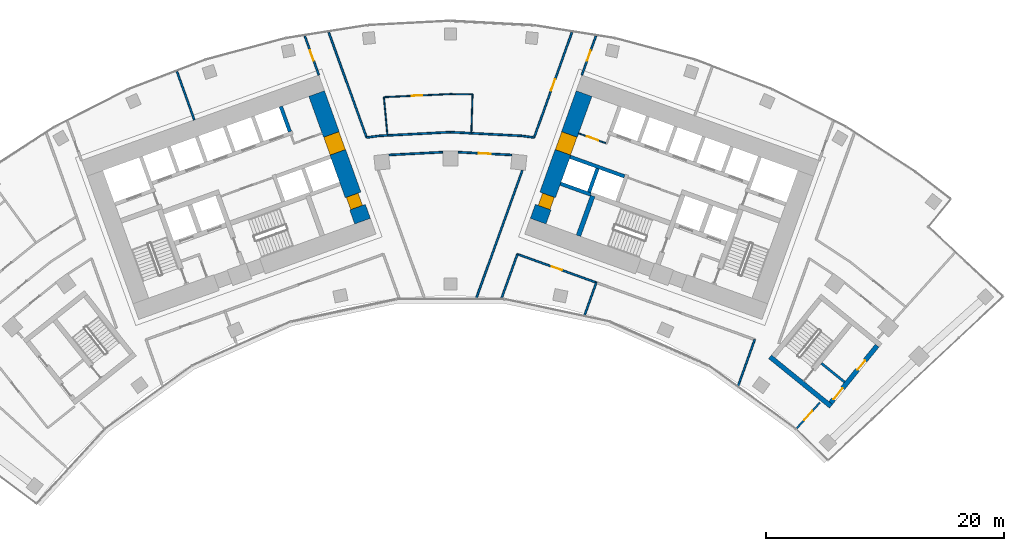
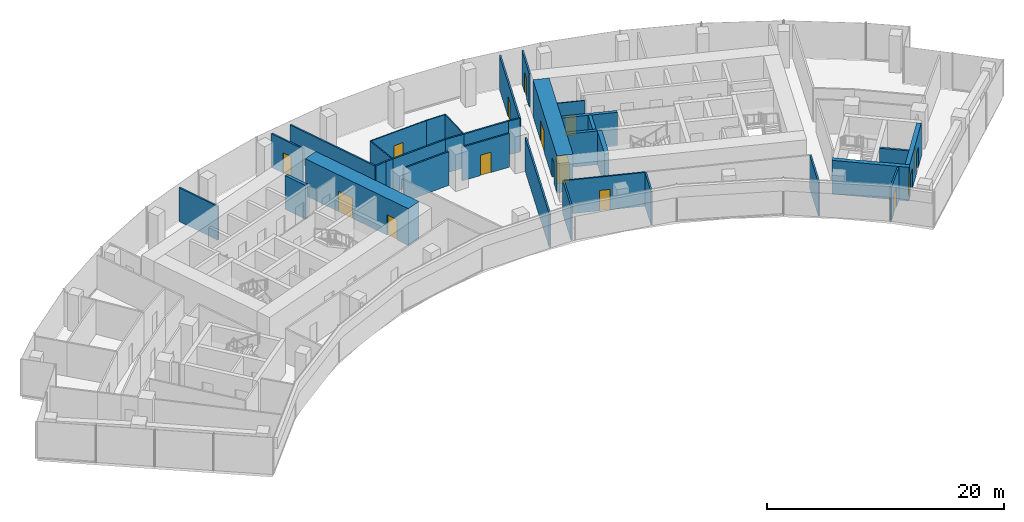
# One storey, part 15 of 20: 34 walls, 14 doors, 14 openings.
"""IFC4 building model written with IfcOpenShell, lengths in metres."""

from ifc_helpers import new_model, si_unit, direction, frame, frame_2d, origin, place, context, subcontext, project, spatial, rectangle, extrude, material, layer, layer_set, type_object, element, fill, save


model = new_model("IFC4")

# Units and contexts
model_context = context("Model", 3, precision=1e-05, world=origin(), true_north=direction((0.0, 1.0)))
body_context = subcontext(model_context, "Body", "Model", "MODEL_VIEW")
ifc_project = project(units=[si_unit("LENGTHUNIT", "METRE"), si_unit("AREAUNIT", "SQUARE_METRE"), si_unit("VOLUMEUNIT", "CUBIC_METRE"), si_unit("PLANEANGLEUNIT", "RADIAN"), si_unit("MASSUNIT", "GRAM", prefix="KILO")], contexts=[model_context])

# Site, building, storey
site_placement = place(None, origin())
site = spatial("IfcSite", under=ifc_project, at=site_placement, CompositionType="ELEMENT")
building_placement = place(site_placement, origin())
building = spatial("IfcBuilding", under=site, at=building_placement, Name="Stone Belt Terrace Tower", CompositionType="ELEMENT")
storey_placement = place(building_placement, frame((0.0, 0.0, 185.800048828125)))
storey = spatial("IfcBuildingStorey", under=building, at=storey_placement, Name="L45", CompositionType="ELEMENT", Elevation=185.800048828125)

# Wall, opening, door
ifc_material_1 = material(Name="Plasterboard partition")
ifc_layer_1 = layer(ifc_material_1, 0.10009765625)
ifc_layer_set_1 = layer_set([ifc_layer_1], Name="Core partition 100")
wall_type_1 = type_object("IfcWallType", Name="Core partition 100", PredefinedType="PARTITIONING", material=ifc_layer_set_1)
wall_1_placement = place(storey_placement, frame((13.085693359375, 56.294677734375, 0.0), z_axis=(0.0, 0.0, 1.0), x_axis=(-0.940922976849, 0.338620660383, 0.0)))
wall_1 = element("IfcWall", 1, at=wall_1_placement, inside=storey, type_object=wall_type_1, Name="Core B wall", PredefinedType="PARTITIONING", context=body_context, shape_type="SweptSolid", body=[
    extrude(rectangle(XDim=2.449951171875, YDim=0.10009765625, at=frame_2d((1.22509765625, 0.0))), origin(), (0.0, 0.0, 1.0), 3.47998046875),
])
opening_1_placement = place(wall_1_placement, frame((0.699951171875, 0.0, 0.0)))
opening_1 = element("IfcOpeningElement", 2, at=opening_1_placement, cuts=wall_1, Name="Opening L45-C11", PredefinedType="OPENING", context=body_context, shape_type="SweptSolid", body=[
    extrude(rectangle(XDim=1.0, YDim=2.10009765625, at=frame_2d((0.5, 1.050048828125))), frame((0.0, 0.06005859375, 0.0), z_axis=(0.0, -1.0, 0.0), x_axis=(1.0, 0.0, 0.0)), (0.0, 0.0, 1.0), 0.1201171875),
])
ifc_material_2 = material(Name="Timber door leaf", Category="wood")
door_type_1 = type_object("IfcDoorType", Name="Core room door 1000", OperationType="SINGLE_SWING_LEFT", PredefinedType="DOOR", material=ifc_material_2)
door_1_placement = place(opening_1_placement, origin())
door_1 = element("IfcDoor", 3, at=door_1_placement, inside=storey, type_object=door_type_1, Name="Door to Meeting store core B", OperationType="SINGLE_SWING_LEFT", OverallHeight=2.10009765625, OverallWidth=1.0, PredefinedType="DOOR", context=body_context, shape_type="SweptSolid", body=[
    extrude(rectangle(XDim=1.0, YDim=2.10009765625, at=frame_2d((0.5, 1.050048828125))), frame((0.0, 0.02490234375, 0.0), z_axis=(0.0, -1.0, 0.0), x_axis=(1.0, 0.0, 0.0)), (0.0, 0.0, 1.0), 0.050048828125),
])
fill(opening_1, door_1)

# Wall, openings, doors
ifc_material_3 = material(Name="Concrete B80", Category="concrete")
ifc_layer_2 = layer(ifc_material_3, 1.39990234375)
ifc_layer_set_2 = layer_set([ifc_layer_2], Name="Core wall 1400 B80")
wall_type_2 = type_object("IfcWallType", Name="Core wall 1400 B80", PredefinedType="SHEAR", material=ifc_layer_set_2)
wall_2_placement = place(storey_placement, frame((-7.379150390625, 49.73974609375, 0.0), z_axis=(0.0, 0.0, 1.0), x_axis=(-0.338625431531, 0.940921259788, 0.0)))
wall_2 = element("IfcWall", 4, at=wall_2_placement, inside=storey, type_object=wall_type_2, Name="Core A wall end_b L45", PredefinedType="SHEAR", context=body_context, shape_type="SweptSolid", body=[
    extrude(rectangle(XDim=11.400146484375, YDim=1.39990234375, at=frame_2d((5.7001953125, 0.0))), origin(), (0.0, 0.0, 1.0), 3.800048828125),
])
opening_2_placement = place(wall_2_placement, frame((6.14990234375, 0.0, 0.0)))
opening_2 = element("IfcOpeningElement", 5, at=opening_2_placement, cuts=wall_2, Name="Opening L45-C04", PredefinedType="OPENING", context=body_context, shape_type="SweptSolid", body=[
    extrude(rectangle(XDim=1.60009765625, YDim=2.10009765625, at=frame_2d((0.800048828125, 1.050048828125))), frame((0.0, 0.7099609375, 0.0), z_axis=(0.0, -1.0, 0.0), x_axis=(1.0, 0.0, 0.0)), (0.0, 0.0, 1.0), 1.419921875),
])
opening_3_placement = place(wall_2_placement, frame((1.25, 0.0, 0.0)))
opening_3 = element("IfcOpeningElement", 6, at=opening_3_placement, cuts=wall_2, Name="Opening L45-C10", PredefinedType="OPENING", context=body_context, shape_type="SweptSolid", body=[
    extrude(rectangle(XDim=1.10009765625, YDim=2.10009765625, at=frame_2d((0.550048828125, 1.050048828125))), frame((0.0, 0.7099609375, 0.0), z_axis=(0.0, -1.0, 0.0), x_axis=(1.0, 0.0, 0.0)), (0.0, 0.0, 1.0), 1.419921875),
])
door_type_2 = type_object("IfcDoorType", Name="Core room door 1100", OperationType="SINGLE_SWING_LEFT", PredefinedType="DOOR", material=ifc_material_2)
door_2_placement = place(opening_3_placement, origin())
door_2 = element("IfcDoor", 7, at=door_2_placement, inside=storey, type_object=door_type_2, Name="Door to Electrical riser room core A", OperationType="SINGLE_SWING_RIGHT", OverallHeight=2.10009765625, OverallWidth=1.10009765625, PredefinedType="DOOR", context=body_context, shape_type="SweptSolid", body=[
    extrude(rectangle(XDim=1.10009765625, YDim=2.10009765625, at=frame_2d((0.550048828125, 1.050048828125))), frame((0.0, 0.60498046875, 0.0), z_axis=(0.0, -1.0, 0.0), x_axis=(1.0, 0.0, 0.0)), (0.0, 0.0, 1.0), 1.050048828125),
])
fill(opening_3, door_2)
ifc_material_4 = material(Name="Glazed aluminium door leaf", Category="aluminium")
door_type_3 = type_object("IfcDoorType", Name="Lift lobby entrance door 1600", OperationType="DOUBLE_DOOR_SINGLE_SWING", PredefinedType="DOOR", material=ifc_material_4)
door_3_placement = place(opening_2_placement, origin())
door_3 = element("IfcDoor", 8, at=door_3_placement, inside=storey, type_object=door_type_3, Name="Lift lobby entrance door core A", OperationType="DOUBLE_DOOR_SINGLE_SWING", OverallHeight=2.10009765625, OverallWidth=1.60009765625, PredefinedType="DOOR", context=body_context, shape_type="SweptSolid", body=[
    extrude(rectangle(XDim=1.60009765625, YDim=2.10009765625, at=frame_2d((0.800048828125, 1.050048828125))), frame((0.0, 0.68017578125, 0.0), z_axis=(0.0, -1.0, 0.0), x_axis=(1.0, 0.0, 0.0)), (0.0, 0.0, 1.0), 1.360107421875),
])
fill(opening_2, door_3)

wall_3_placement = place(storey_placement, frame((7.379150390625, 49.73974609375, 0.0), z_axis=(0.0, 0.0, 1.0), x_axis=(0.338625431531, 0.940921259788, 0.0)))
wall_3 = element("IfcWall", 9, at=wall_3_placement, inside=storey, type_object=wall_type_2, Name="Core B wall end_a L45", PredefinedType="SHEAR", context=body_context, shape_type="SweptSolid", body=[
    extrude(rectangle(XDim=11.400146484375, YDim=1.39990234375, at=frame_2d((5.7001953125, 0.0))), origin(), (0.0, 0.0, 1.0), 3.800048828125),
])
opening_4_placement = place(wall_3_placement, frame((6.14990234375, 0.0, 0.0)))
opening_4 = element("IfcOpeningElement", 10, at=opening_4_placement, cuts=wall_3, Name="Opening L45-C14", PredefinedType="OPENING", context=body_context, shape_type="SweptSolid", body=[
    extrude(rectangle(XDim=1.60009765625, YDim=2.10009765625, at=frame_2d((0.800048828125, 1.050048828125))), frame((0.0, 0.7099609375, 0.0), z_axis=(0.0, -1.0, 0.0), x_axis=(1.0, 0.0, 0.0)), (0.0, 0.0, 1.0), 1.419921875),
])
opening_5_placement = place(wall_3_placement, frame((1.25, 0.0, 0.0)))
opening_5 = element("IfcOpeningElement", 11, at=opening_5_placement, cuts=wall_3, Name="Opening L45-C20", PredefinedType="OPENING", context=body_context, shape_type="SweptSolid", body=[
    extrude(rectangle(XDim=1.10009765625, YDim=2.10009765625, at=frame_2d((0.550048828125, 1.050048828125))), frame((0.0, 0.7099609375, 0.0), z_axis=(0.0, -1.0, 0.0), x_axis=(1.0, 0.0, 0.0)), (0.0, 0.0, 1.0), 1.419921875),
])
door_4_placement = place(opening_5_placement, origin())
door_4 = element("IfcDoor", 12, at=door_4_placement, inside=storey, type_object=door_type_2, Name="Door to Electrical riser room core B", OperationType="SINGLE_SWING_LEFT", OverallHeight=2.10009765625, OverallWidth=1.10009765625, PredefinedType="DOOR", context=body_context, shape_type="SweptSolid", body=[
    extrude(rectangle(XDim=1.10009765625, YDim=2.10009765625, at=frame_2d((0.550048828125, 1.050048828125))), frame((0.0, 0.44482421875, 0.0), z_axis=(0.0, -1.0, 0.0), x_axis=(1.0, 0.0, 0.0)), (0.0, 0.0, 1.0), 1.050048828125),
])
fill(opening_5, door_4)
door_5_placement = place(opening_4_placement, origin())
door_5 = element("IfcDoor", 13, at=door_5_placement, inside=storey, type_object=door_type_3, Name="Lift lobby entrance door core B", OperationType="DOUBLE_DOOR_SINGLE_SWING", OverallHeight=2.10009765625, OverallWidth=1.60009765625, PredefinedType="DOOR", context=body_context, shape_type="SweptSolid", body=[
    extrude(rectangle(XDim=1.60009765625, YDim=2.10009765625, at=frame_2d((0.800048828125, 1.050048828125))), frame((0.0, 0.68017578125, 0.0), z_axis=(0.0, -1.0, 0.0), x_axis=(1.0, 0.0, 0.0)), (0.0, 0.0, 1.0), 1.360107421875),
])
fill(opening_4, door_5)

# Walls
ifc_layer_3 = layer(ifc_material_3, 0.300048828125)
ifc_layer_set_3 = layer_set([ifc_layer_3], Name="Lift shaft wall 300")
wall_type_3 = type_object("IfcWallType", Name="Lift shaft wall 300", PredefinedType="SHEAR", material=ifc_layer_set_3)
wall_4_placement = place(storey_placement, frame((-13.48828125, 57.265625, 0.0), z_axis=(0.0, 0.0, 1.0), x_axis=(-0.338631098537, 0.940919220286, 0.0)))
element("IfcWall", 14, at=wall_4_placement, inside=storey, type_object=wall_type_3, Name="Core A wall", PredefinedType="SHEAR", context=body_context, shape_type="SweptSolid", body=[
    extrude(rectangle(XDim=2.250244140625, YDim=0.300048828125, at=frame_2d((1.125, 0.0))), origin(), (0.0, 0.0, 1.0), 3.47998046875),
])
wall_5_placement = place(storey_placement, frame((14.6328125, 53.506103515625, 0.0), z_axis=(0.0, 0.0, 1.0), x_axis=(-0.940931684323, 0.338596464007, 0.0)))
element("IfcWall", 15, at=wall_5_placement, inside=storey, type_object=wall_type_3, Name="Core B wall", PredefinedType="SHEAR", context=body_context, shape_type="SweptSolid", body=[
    extrude(rectangle(XDim=4.849609375, YDim=0.300048828125, at=frame_2d((2.4248046875, 0.0))), origin(), (0.0, 0.0, 1.0), 3.47998046875),
])
wall_6_placement = place(storey_placement, frame((11.797119140625, 51.975830078125, 0.0), z_axis=(0.0, 0.0, 1.0), x_axis=(-0.940910465161, 0.33865542451, 0.0)))
element("IfcWall", 16, at=wall_6_placement, inside=storey, type_object=wall_type_3, Name="Core B wall", PredefinedType="SHEAR", context=body_context, shape_type="SweptSolid", body=[
    extrude(rectangle(XDim=2.69970703125, YDim=0.300048828125, at=frame_2d((1.349853515625, 0.0))), origin(), (0.0, 0.0, 1.0), 3.47998046875),
])
wall_7_placement = place(storey_placement, frame((11.659912109375, 52.184814453125, 0.0), z_axis=(0.0, 0.0, 1.0), x_axis=(0.338670064856, 0.940905195634, 0.0)))
element("IfcWall", 17, at=wall_7_placement, inside=storey, type_object=wall_type_3, Name="Core B wall", PredefinedType="SHEAR", context=body_context, shape_type="SweptSolid", body=[
    extrude(rectangle(XDim=2.099853515625, YDim=0.300048828125, at=frame_2d((1.0498046875, 0.0))), origin(), (0.0, 0.0, 1.0), 3.47998046875),
])
ifc_material_5 = material(Name="Gypsum board partition")
ifc_layer_4 = layer(ifc_material_5, 0.10009765625)
ifc_layer_set_4 = layer_set([ifc_layer_4], Name="PARTITION 100")
wall_type_4 = type_object("IfcWallType", Name="PARTITION 100", PredefinedType="PARTITIONING", material=ifc_layer_set_4)
wall_8_placement = place(storey_placement, frame((1.762939453125, 57.133056640625, 0.0), z_axis=(0.0, 0.0, 1.0), x_axis=(0.030961580112, 0.999520575354, 0.0)))
element("IfcWall", 18, at=wall_8_placement, inside=storey, type_object=wall_type_4, Name="L45/wall/i066", PredefinedType="PARTITIONING", context=body_context, shape_type="SweptSolid", body=[
    extrude(rectangle(XDim=3.264404296875, YDim=0.10009765625, at=frame_2d((1.63232421875, 0.0))), origin(), (0.0, 0.0, 1.0), 3.47998046875),
])
wall_9_placement = place(storey_placement, frame((1.864013671875, 60.39599609375, 0.0), z_axis=(0.0, 0.0, 1.0), x_axis=(-0.999878558611, 0.015584223769, 0.0)))
element("IfcWall", 19, at=wall_9_placement, inside=storey, type_object=wall_type_4, Name="L45/wall/i067", PredefinedType="PARTITIONING", context=body_context, shape_type="SweptSolid", body=[
    extrude(rectangle(XDim=1.8642578125, YDim=0.10009765625, at=frame_2d((0.93212890625, 0.0))), origin(), (0.0, 0.0, 1.0), 3.47998046875),
])

# Wall, opening, door
wall_10_placement = place(storey_placement, frame((0.0, 60.425048828125, 0.0), z_axis=(0.0, 0.0, 1.0), x_axis=(-0.998926532274, -0.046322598372, 0.0)))
wall_10 = element("IfcWall", 20, at=wall_10_placement, inside=storey, type_object=wall_type_4, Name="L45/wall/i068", PredefinedType="PARTITIONING", context=body_context, shape_type="SweptSolid", body=[
    extrude(rectangle(XDim=5.592041015625, YDim=0.10009765625, at=frame_2d((2.7958984375, 0.0))), origin(), (0.0, 0.0, 1.0), 3.47998046875),
])
opening_6_placement = place(wall_10_placement, frame((2.345947265625, 0.0, 0.0)))
opening_6 = element("IfcOpeningElement", 21, at=opening_6_placement, cuts=wall_10, Name="Opening D-C5-21", PredefinedType="OPENING", context=body_context, shape_type="SweptSolid", body=[
    extrude(rectangle(XDim=0.89990234375, YDim=2.10009765625, at=frame_2d((0.449951171875, 1.050048828125))), frame((0.0, 0.06005859375, 0.0), z_axis=(0.0, -1.0, 0.0), x_axis=(1.0, 0.0, 0.0)), (0.0, 0.0, 1.0), 0.1201171875),
])
door_type_4 = type_object("IfcDoorType", Name="OFFICE DOOR 900 X 2100", OperationType="NOTDEFINED", PredefinedType="DOOR", material=ifc_material_2)
door_6_placement = place(opening_6_placement, origin())
door_6 = element("IfcDoor", 22, at=door_6_placement, inside=storey, type_object=door_type_4, Name="L45/door/i21", OperationType="SINGLE_SWING_RIGHT", OverallHeight=2.10009765625, OverallWidth=0.89990234375, PredefinedType="DOOR", context=body_context, shape_type="SweptSolid", body=[
    extrude(rectangle(XDim=0.89990234375, YDim=2.10009765625, at=frame_2d((0.449951171875, 1.050048828125))), frame((0.0, 0.02490234375, 0.0), z_axis=(0.0, -1.0, 0.0), x_axis=(1.0, 0.0, 0.0)), (0.0, 0.0, 1.0), 0.050048828125),
])
fill(opening_6, door_6)

# Wall
wall_11_placement = place(storey_placement, frame((-5.5859375, 60.166015625, 0.0), z_axis=(0.0, 0.0, 1.0), x_axis=(0.092463130061, -0.995716108928, 0.0)))
element("IfcWall", 23, at=wall_11_placement, inside=storey, type_object=wall_type_4, Name="L45/wall/i069", PredefinedType="PARTITIONING", context=body_context, shape_type="SweptSolid", body=[
    extrude(rectangle(XDim=3.23193359375, YDim=0.10009765625, at=frame_2d((1.615966796875, 0.0))), origin(), (0.0, 0.0, 1.0), 3.47998046875),
])

# Wall, opening, door
ifc_layer_5 = layer(ifc_material_5, 0.14990234375)
ifc_layer_set_5 = layer_set([ifc_layer_5], Name="PARTITION 150 EI 60")
wall_type_5 = type_object("IfcWallType", Name="PARTITION 150 EI 60", PredefinedType="PARTITIONING", material=ifc_layer_set_5)
wall_12_placement = place(storey_placement, frame((-11.054931640625, 62.02099609375, 0.0), z_axis=(0.0, 0.0, 1.0), x_axis=(-0.338853532575, 0.94083913793, 0.0)))
wall_12 = element("IfcWall", 24, at=wall_12_placement, inside=storey, type_object=wall_type_5, Name="L45/wall/i008", PredefinedType="PARTITIONING", context=body_context, shape_type="SweptSolid", body=[
    extrude(rectangle(XDim=3.482177734375, YDim=0.14990234375, at=frame_2d((1.7412109375, 0.0))), origin(), (0.0, 0.0, 1.0), 3.47998046875),
])
opening_7_placement = place(wall_12_placement, frame((1.291015625, 0.0, 0.0)))
opening_7 = element("IfcOpeningElement", 25, at=opening_7_placement, cuts=wall_12, Name="Opening D-C5-04", PredefinedType="OPENING", context=body_context, shape_type="SweptSolid", body=[
    extrude(rectangle(XDim=0.89990234375, YDim=2.10009765625, at=frame_2d((0.449951171875, 1.050048828125))), frame((0.0, 0.0849609375, 0.0), z_axis=(0.0, -1.0, 0.0), x_axis=(1.0, 0.0, 0.0)), (0.0, 0.0, 1.0), 0.169921875),
])
door_7_placement = place(opening_7_placement, origin())
door_7 = element("IfcDoor", 26, at=door_7_placement, inside=storey, type_object=door_type_4, Name="L45/door/i04", OperationType="SINGLE_SWING_RIGHT", OverallHeight=2.10009765625, OverallWidth=0.89990234375, PredefinedType="DOOR", context=body_context, shape_type="SweptSolid", body=[
    extrude(rectangle(XDim=0.89990234375, YDim=2.10009765625, at=frame_2d((0.449951171875, 1.050048828125))), frame((0.0, 0.02490234375, 0.0), z_axis=(0.0, -1.0, 0.0), x_axis=(1.0, 0.0, 0.0)), (0.0, 0.0, 1.0), 0.050048828125),
])
fill(opening_7, door_7)

# Walls
wall_13_placement = place(storey_placement, frame((-10.223876953125, 65.6162109375, 0.0), z_axis=(0.0, 0.0, 1.0), x_axis=(0.338637655092, -0.940916860596, 0.0)))
element("IfcWall", 27, at=wall_13_placement, inside=storey, type_object=wall_type_5, Name="L45/wall/i010", PredefinedType="PARTITIONING", context=body_context, shape_type="SweptSolid", body=[
    extrude(rectangle(XDim=9.40478515625, YDim=0.14990234375, at=frame_2d((4.702392578125, 0.0))), origin(), (0.0, 0.0, 1.0), 3.47998046875),
])
wall_14_placement = place(storey_placement, frame((-22.978759765625, 62.31201171875, 0.0), z_axis=(0.0, 0.0, 1.0), x_axis=(0.338545023912, -0.940950193573, 0.0)))
element("IfcWall", 28, at=wall_14_placement, inside=storey, type_object=wall_type_5, Name="L45/wall/i015", PredefinedType="PARTITIONING", context=body_context, shape_type="SweptSolid", body=[
    extrude(rectangle(XDim=4.311767578125, YDim=0.14990234375, at=frame_2d((2.15576171875, 0.0))), origin(), (0.0, 0.0, 1.0), 3.47998046875),
])
wall_15_placement = place(storey_placement, frame((5.638916015625, 46.971923828125, 0.0), z_axis=(0.0, 0.0, 1.0), x_axis=(-0.338490436495, -0.940969831823, 0.0)))
element("IfcWall", 29, at=wall_15_placement, inside=storey, type_object=wall_type_5, Name="L45/wall/i016", PredefinedType="PARTITIONING", context=body_context, shape_type="SweptSolid", body=[
    extrude(rectangle(XDim=3.92578125, YDim=0.14990234375, at=frame_2d((1.962890625, 0.0))), origin(), (0.0, 0.0, 1.0), 3.47998046875),
])

# Wall, opening, door
wall_16_placement = place(storey_placement, frame((12.23486328125, 65.297119140625, 0.0), z_axis=(0.0, 0.0, 1.0), x_axis=(-0.338853532575, -0.94083913793, 0.0)))
wall_16 = element("IfcWall", 30, at=wall_16_placement, inside=storey, type_object=wall_type_5, Name="L45/wall/i017", PredefinedType="PARTITIONING", context=body_context, shape_type="SweptSolid", body=[
    extrude(rectangle(XDim=3.482177734375, YDim=0.14990234375, at=frame_2d((1.7412109375, 0.0))), origin(), (0.0, 0.0, 1.0), 3.47998046875),
])
opening_8_placement = place(wall_16_placement, frame((1.291015625, 0.0, 0.0)))
opening_8 = element("IfcOpeningElement", 31, at=opening_8_placement, cuts=wall_16, Name="Opening D-C5-07", PredefinedType="OPENING", context=body_context, shape_type="SweptSolid", body=[
    extrude(rectangle(XDim=0.89990234375, YDim=2.10009765625, at=frame_2d((0.449951171875, 1.050048828125))), frame((0.0, 0.0849609375, 0.0), z_axis=(0.0, -1.0, 0.0), x_axis=(1.0, 0.0, 0.0)), (0.0, 0.0, 1.0), 0.169921875),
])
door_8_placement = place(opening_8_placement, origin())
door_8 = element("IfcDoor", 32, at=door_8_placement, inside=storey, type_object=door_type_4, Name="L45/door/i07", OperationType="SINGLE_SWING_RIGHT", OverallHeight=2.10009765625, OverallWidth=0.89990234375, PredefinedType="DOOR", context=body_context, shape_type="SweptSolid", body=[
    extrude(rectangle(XDim=0.89990234375, YDim=2.10009765625, at=frame_2d((0.449951171875, 1.050048828125))), frame((0.0, 0.02490234375, 0.0), z_axis=(0.0, -1.0, 0.0), x_axis=(1.0, 0.0, 0.0)), (0.0, 0.0, 1.0), 0.050048828125),
])
fill(opening_8, door_8)

# Wall
wall_17_placement = place(storey_placement, frame((2.1787109375, 43.26171875, 0.0), z_axis=(0.0, 0.0, 1.0), x_axis=(0.338658916341, 0.940909208363, 0.0)))
element("IfcWall", 33, at=wall_17_placement, inside=storey, type_object=wall_type_5, Name="L45/wall/i018", PredefinedType="PARTITIONING", context=body_context, shape_type="SweptSolid", body=[
    extrude(rectangle(XDim=11.422119140625, YDim=0.14990234375, at=frame_2d((5.7109375, 0.0))), origin(), (0.0, 0.0, 1.0), 3.47998046875),
])

# Wall, opening, door
wall_18_placement = place(storey_placement, frame((7.0390625, 56.76708984375, 0.0), z_axis=(0.0, 0.0, 1.0), x_axis=(0.338637655092, 0.940916860596, 0.0)))
wall_18 = element("IfcWall", 34, at=wall_18_placement, inside=storey, type_object=wall_type_5, Name="L45/wall/i019", PredefinedType="PARTITIONING", context=body_context, shape_type="SweptSolid", body=[
    extrude(rectangle(XDim=9.40478515625, YDim=0.14990234375, at=frame_2d((4.702392578125, 0.0))), origin(), (0.0, 0.0, 1.0), 3.47998046875),
])
opening_9_placement = place(wall_18_placement, frame((4.202392578125, 0.0, 0.0)))
opening_9 = element("IfcOpeningElement", 35, at=opening_9_placement, cuts=wall_18, Name="Opening D-C5-20", PredefinedType="OPENING", context=body_context, shape_type="SweptSolid", body=[
    extrude(rectangle(XDim=1.0, YDim=2.10009765625, at=frame_2d((0.5, 1.050048828125))), frame((0.0, 0.0849609375, 0.0), z_axis=(0.0, -1.0, 0.0), x_axis=(1.0, 0.0, 0.0)), (0.0, 0.0, 1.0), 0.169921875),
])
ifc_material_6 = material(Name="Timber fire door leaf", Category="wood")
door_type_5 = type_object("IfcDoorType", Name="TENANCY ENTRANCE DOOR 1000 X 2100", OperationType="NOTDEFINED", PredefinedType="DOOR", material=ifc_material_6)
door_9_placement = place(opening_9_placement, origin())
door_9 = element("IfcDoor", 36, at=door_9_placement, inside=storey, type_object=door_type_5, Name="L45/door/i20", OperationType="SINGLE_SWING_RIGHT", OverallHeight=2.10009765625, OverallWidth=1.0, PredefinedType="DOOR", context=body_context, shape_type="SweptSolid", body=[
    extrude(rectangle(XDim=1.0, YDim=2.10009765625, at=frame_2d((0.5, 1.050048828125))), frame((0.0, 0.02490234375, 0.0), z_axis=(0.0, -1.0, 0.0), x_axis=(1.0, 0.0, 0.0)), (0.0, 0.0, 1.0), 0.050048828125),
])
fill(opening_9, door_9)

# Wall
wall_19_placement = place(storey_placement, frame((24.18603515625, 35.902099609375, 0.0), z_axis=(0.0, 0.0, 1.0), x_axis=(0.338545933013, 0.940949866486, 0.0)))
element("IfcWall", 37, at=wall_19_placement, inside=storey, type_object=wall_type_5, Name="L45/wall/i020", PredefinedType="PARTITIONING", context=body_context, shape_type="SweptSolid", body=[
    extrude(rectangle(XDim=4.135009765625, YDim=0.14990234375, at=frame_2d((2.0673828125, 0.0))), origin(), (0.0, 0.0, 1.0), 3.47998046875),
])

# Wall, opening, door
wall_20_placement = place(storey_placement, frame((31.054931640625, 34.489990234375, 0.0), z_axis=(0.0, 0.0, 1.0), x_axis=(-0.668923018297, -0.743331686121, 0.0)))
wall_20 = element("IfcWall", 38, at=wall_20_placement, inside=storey, type_object=wall_type_5, Name="L45/wall/i022", PredefinedType="PARTITIONING", context=body_context, shape_type="SweptSolid", body=[
    extrude(rectangle(XDim=2.910400390625, YDim=0.14990234375, at=frame_2d((1.455078125, 0.0))), origin(), (0.0, 0.0, 1.0), 3.47998046875),
])
opening_10_placement = place(wall_20_placement, frame((0.955078125, 0.0, 0.0)))
opening_10 = element("IfcOpeningElement", 39, at=opening_10_placement, cuts=wall_20, Name="Opening D-C5-16", PredefinedType="OPENING", context=body_context, shape_type="SweptSolid", body=[
    extrude(rectangle(XDim=1.0, YDim=2.10009765625, at=frame_2d((0.5, 1.050048828125))), frame((0.0, 0.0849609375, 0.0), z_axis=(0.0, -1.0, 0.0), x_axis=(1.0, 0.0, 0.0)), (0.0, 0.0, 1.0), 0.169921875),
])
door_10_placement = place(opening_10_placement, origin())
door_10 = element("IfcDoor", 40, at=door_10_placement, inside=storey, type_object=door_type_5, Name="L45/door/i16", OperationType="SINGLE_SWING_RIGHT", OverallHeight=2.10009765625, OverallWidth=1.0, PredefinedType="DOOR", context=body_context, shape_type="SweptSolid", body=[
    extrude(rectangle(XDim=1.0, YDim=2.10009765625, at=frame_2d((0.5, 1.050048828125))), frame((0.0, 0.02490234375, 0.0), z_axis=(0.0, -1.0, 0.0), x_axis=(1.0, 0.0, 0.0)), (0.0, 0.0, 1.0), 0.050048828125),
])
fill(opening_10, door_10)

wall_21_placement = place(storey_placement, frame((12.27392578125, 44.576904296875, 0.0), z_axis=(0.0, 0.0, 1.0), x_axis=(-0.940894029898, 0.338701084296, 0.0)))
wall_21 = element("IfcWall", 41, at=wall_21_placement, inside=storey, type_object=wall_type_5, Name="L45/wall/i025", PredefinedType="PARTITIONING", context=body_context, shape_type="SweptSolid", body=[
    extrude(rectangle(XDim=7.053955078125, YDim=0.14990234375, at=frame_2d((3.52685546875, 0.0))), origin(), (0.0, 0.0, 1.0), 3.47998046875),
])
opening_11_placement = place(wall_21_placement, frame((3.076904296875, 0.0, 0.0)))
opening_11 = element("IfcOpeningElement", 42, at=opening_11_placement, cuts=wall_21, Name="Opening D-C5-05", PredefinedType="OPENING", context=body_context, shape_type="SweptSolid", body=[
    extrude(rectangle(XDim=0.89990234375, YDim=2.10009765625, at=frame_2d((0.449951171875, 1.050048828125))), frame((0.0, 0.0849609375, 0.0), z_axis=(0.0, -1.0, 0.0), x_axis=(1.0, 0.0, 0.0)), (0.0, 0.0, 1.0), 0.169921875),
])
door_11_placement = place(opening_11_placement, origin())
door_11 = element("IfcDoor", 43, at=door_11_placement, inside=storey, type_object=door_type_4, Name="L45/door/i05", OperationType="SINGLE_SWING_RIGHT", OverallHeight=2.10009765625, OverallWidth=0.89990234375, PredefinedType="DOOR", context=body_context, shape_type="SweptSolid", body=[
    extrude(rectangle(XDim=0.89990234375, YDim=2.10009765625, at=frame_2d((0.449951171875, 1.050048828125))), frame((0.0, 0.02490234375, 0.0), z_axis=(0.0, -1.0, 0.0), x_axis=(1.0, 0.0, 0.0)), (0.0, 0.0, 1.0), 0.050048828125),
])
fill(opening_11, door_11)

# Wall
wall_22_placement = place(storey_placement, frame((12.26806640625, 44.580078125, 0.0), z_axis=(0.0, 0.0, 1.0), x_axis=(-0.338574481555, -0.940939594469, 0.0)))
element("IfcWall", 44, at=wall_22_placement, inside=storey, type_object=wall_type_5, Name="L45/wall/i027", PredefinedType="PARTITIONING", context=body_context, shape_type="SweptSolid", body=[
    extrude(rectangle(XDim=2.921875, YDim=0.14990234375, at=frame_2d((1.4609375, 0.0))), origin(), (0.0, 0.0, 1.0), 3.47998046875),
])

# Wall, opening, door
wall_23_placement = place(storey_placement, frame((5.154296875, 55.30517578125, 0.0), z_axis=(0.0, 0.0, 1.0), x_axis=(-0.99863186448, 0.052291483489, 0.0)))
wall_23 = element("IfcWall", 45, at=wall_23_placement, inside=storey, type_object=wall_type_5, Name="L45/wall/i058", PredefinedType="PARTITIONING", context=body_context, shape_type="SweptSolid", body=[
    extrude(rectangle(XDim=4.50537109375, YDim=0.14990234375, at=frame_2d((2.252685546875, 0.0))), origin(), (0.0, 0.0, 1.0), 3.47998046875),
])
opening_12_placement = place(wall_23_placement, frame((1.752685546875, 0.0, 0.0)))
opening_12 = element("IfcOpeningElement", 46, at=opening_12_placement, cuts=wall_23, Name="Opening D-C5-19", PredefinedType="OPENING", context=body_context, shape_type="SweptSolid", body=[
    extrude(rectangle(XDim=1.0, YDim=2.10009765625, at=frame_2d((0.5, 1.050048828125))), frame((0.0, 0.0849609375, 0.0), z_axis=(0.0, -1.0, 0.0), x_axis=(1.0, 0.0, 0.0)), (0.0, 0.0, 1.0), 0.169921875),
])
door_12_placement = place(opening_12_placement, origin())
door_12 = element("IfcDoor", 47, at=door_12_placement, inside=storey, type_object=door_type_5, Name="L45/door/i19", OperationType="SINGLE_SWING_RIGHT", OverallHeight=2.10009765625, OverallWidth=1.0, PredefinedType="DOOR", context=body_context, shape_type="SweptSolid", body=[
    extrude(rectangle(XDim=1.0, YDim=2.10009765625, at=frame_2d((0.5, 1.050048828125))), frame((0.0, 0.02490234375, 0.0), z_axis=(0.0, -1.0, 0.0), x_axis=(1.0, 0.0, 0.0)), (0.0, 0.0, 1.0), 0.050048828125),
])
fill(opening_12, door_12)

# Walls
wall_24_placement = place(storey_placement, frame((-0.655029296875, 55.540771484375, 0.0), z_axis=(0.0, 0.0, 1.0), x_axis=(-0.99863186448, -0.052291483489, 0.0)))
element("IfcWall", 48, at=wall_24_placement, inside=storey, type_object=wall_type_5, Name="L45/wall/i059", PredefinedType="PARTITIONING", context=body_context, shape_type="SweptSolid", body=[
    extrude(rectangle(XDim=4.50537109375, YDim=0.14990234375, at=frame_2d((2.252685546875, 0.0))), origin(), (0.0, 0.0, 1.0), 3.47998046875),
])
wall_25_placement = place(storey_placement, frame((-7.041015625, 56.77294921875, 0.0), z_axis=(0.0, 0.0, 1.0), x_axis=(0.991477617634, 0.130277142013, 0.0)))
element("IfcWall", 49, at=wall_25_placement, inside=storey, type_object=wall_type_5, Name="L45/wall/i060", PredefinedType="PARTITIONING", context=body_context, shape_type="SweptSolid", body=[
    extrude(rectangle(XDim=1.068115234375, YDim=0.14990234375, at=frame_2d((0.5341796875, 0.0))), origin(), (0.0, 0.0, 1.0), 3.47998046875),
])
wall_26_placement = place(storey_placement, frame((-5.98193359375, 56.912109375, 0.0), z_axis=(0.0, 0.0, 1.0), x_axis=(0.998619750377, 0.052522320553, 0.0)))
element("IfcWall", 50, at=wall_26_placement, inside=storey, type_object=wall_type_5, Name="L45/wall/i061", PredefinedType="PARTITIONING", context=body_context, shape_type="SweptSolid", body=[
    extrude(rectangle(XDim=0.701904296875, YDim=0.14990234375, at=frame_2d((0.35107421875, 0.0))), origin(), (0.0, 0.0, 1.0), 3.47998046875),
])
wall_27_placement = place(storey_placement, frame((1.757080078125, 57.133056640625, 0.0), z_axis=(0.0, 0.0, 1.0), x_axis=(0.998635309304, -0.052225654719, 0.0)))
element("IfcWall", 51, at=wall_27_placement, inside=storey, type_object=wall_type_5, Name="L45/wall/i062", PredefinedType="PARTITIONING", context=body_context, shape_type="SweptSolid", body=[
    extrude(rectangle(XDim=4.230712890625, YDim=0.14990234375, at=frame_2d((2.115234375, 0.0))), origin(), (0.0, 0.0, 1.0), 3.47998046875),
])
wall_28_placement = place(storey_placement, frame((5.98193359375, 56.912109375, 0.0), z_axis=(0.0, 0.0, 1.0), x_axis=(0.991477617634, -0.130277142013, 0.0)))
element("IfcWall", 52, at=wall_28_placement, inside=storey, type_object=wall_type_5, Name="L45/wall/i063", PredefinedType="PARTITIONING", context=body_context, shape_type="SweptSolid", body=[
    extrude(rectangle(XDim=1.068115234375, YDim=0.14990234375, at=frame_2d((0.5341796875, 0.0))), origin(), (0.0, 0.0, 1.0), 3.47998046875),
])
wall_29_placement = place(storey_placement, frame((-5.29296875, 56.947998046875, 0.0), z_axis=(0.0, 0.0, 1.0), x_axis=(0.998632423706, 0.052280802625, 0.0)))
element("IfcWall", 53, at=wall_29_placement, inside=storey, type_object=wall_type_5, Name="L45/wall/i064", PredefinedType="PARTITIONING", context=body_context, shape_type="SweptSolid", body=[
    extrude(rectangle(XDim=5.30029296875, YDim=0.14990234375, at=frame_2d((2.650146484375, 0.0))), origin(), (0.0, 0.0, 1.0), 3.47998046875),
])
wall_30_placement = place(storey_placement, frame((0.0, 57.22509765625, 0.0), z_axis=(0.0, 0.0, 1.0), x_axis=(0.998620493014, -0.052508198708, 0.0)))
element("IfcWall", 54, at=wall_30_placement, inside=storey, type_object=wall_type_5, Name="L45/wall/i065", PredefinedType="PARTITIONING", context=body_context, shape_type="SweptSolid", body=[
    extrude(rectangle(XDim=1.771484375, YDim=0.14990234375, at=frame_2d((0.8857421875, 0.0))), origin(), (0.0, 0.0, 1.0), 3.47998046875),
])
ifc_material_7 = material(Name="Concrete masonry block", Category="masonry")
ifc_layer_6 = layer(ifc_material_7, 0.199951171875)
ifc_layer_set_6 = layer_set([ifc_layer_6], Name="Rated lobby wall 200")
wall_type_6 = type_object("IfcWallType", Name="Rated lobby wall 200", PredefinedType="PARTITIONING", material=ifc_layer_set_6)
wall_31_placement = place(storey_placement, frame((31.190673828125, 37.79296875, 0.0), z_axis=(0.0, 0.0, 1.0), x_axis=(0.776370830301, -0.630276394813, 0.0)))
element("IfcWall", 55, at=wall_31_placement, inside=storey, type_object=wall_type_6, Name="Exit stair ST3B wall", PredefinedType="PARTITIONING", context=body_context, shape_type="SweptSolid", body=[
    extrude(rectangle(XDim=2.5, YDim=0.199951171875, at=frame_2d((1.25, 0.0))), origin(), (0.0, 0.0, 1.0), 3.47998046875),
])
ifc_layer_7 = layer(ifc_material_3, 0.39990234375)
ifc_layer_set_7 = layer_set([ifc_layer_7], Name="Stair enclosure wall 400")
wall_type_7 = type_object("IfcWallType", Name="Stair enclosure wall 400", PredefinedType="SHEAR", material=ifc_layer_set_7)
wall_32_placement = place(storey_placement, frame((10.766357421875, 48.520751953125, 0.0), z_axis=(0.0, 0.0, 1.0), x_axis=(0.338626928157, 0.94092072117, 0.0)))
element("IfcWall", 56, at=wall_32_placement, inside=storey, type_object=wall_type_7, Name="Core B wall", PredefinedType="SHEAR", context=body_context, shape_type="SweptSolid", body=[
    extrude(rectangle(XDim=3.550048828125, YDim=0.39990234375, at=frame_2d((1.77490234375, 0.0))), origin(), (0.0, 0.0, 1.0), 3.47998046875),
])
wall_33_placement = place(storey_placement, frame((26.868408203125, 38.3388671875, 0.0), z_axis=(0.0, 0.0, 1.0), x_axis=(0.776428452498, -0.630205409491, 0.0)))
element("IfcWall", 57, at=wall_33_placement, inside=storey, type_object=wall_type_7, Name="Exit stair ST3B wall", PredefinedType="SHEAR", context=body_context, shape_type="SweptSolid", body=[
    extrude(rectangle(XDim=6.60009765625, YDim=0.39990234375, at=frame_2d((3.300048828125, 0.0))), origin(), (0.0, 0.0, 1.0), 3.47998046875),
])

# Wall, openings, doors
wall_34_placement = place(storey_placement, frame((31.963623046875, 34.460693359375, 0.0), z_axis=(0.0, 0.0, 1.0), x_axis=(0.630192283849, 0.776439106033, 0.0)))
wall_34 = element("IfcWall", 58, at=wall_34_placement, inside=storey, type_object=wall_type_7, Name="Exit stair ST3B wall", PredefinedType="SHEAR", context=body_context, shape_type="SweptSolid", body=[
    extrude(rectangle(XDim=6.199951171875, YDim=0.39990234375, at=frame_2d((3.10009765625, 0.0))), origin(), (0.0, 0.0, 1.0), 3.47998046875),
])
opening_13_placement = place(wall_34_placement, frame((0.39990234375, 0.0, 0.0)))
opening_13 = element("IfcOpeningElement", 59, at=opening_13_placement, cuts=wall_34, Name="Opening L45-C25", PredefinedType="OPENING", context=body_context, shape_type="SweptSolid", body=[
    extrude(rectangle(XDim=1.199951171875, YDim=2.10009765625, at=frame_2d((0.60009765625, 1.050048828125))), frame((0.0, 0.2099609375, 0.0), z_axis=(0.0, -1.0, 0.0), x_axis=(1.0, 0.0, 0.0)), (0.0, 0.0, 1.0), 0.419921875),
])
opening_14_placement = place(wall_34_placement, frame((3.60009765625, 0.0, 0.0)))
opening_14 = element("IfcOpeningElement", 60, at=opening_14_placement, cuts=wall_34, Name="Opening L45-C26", PredefinedType="OPENING", context=body_context, shape_type="SweptSolid", body=[
    extrude(rectangle(XDim=1.0, YDim=2.10009765625, at=frame_2d((0.5, 1.050048828125))), frame((0.0, 0.2099609375, 0.0), z_axis=(0.0, -1.0, 0.0), x_axis=(1.0, 0.0, 0.0)), (0.0, 0.0, 1.0), 0.419921875),
])
door_13_placement = place(opening_14_placement, origin())
door_13 = element("IfcDoor", 61, at=door_13_placement, inside=storey, type_object=door_type_1, Name="Door to stair pressurisation plant room ST3B", OperationType="SINGLE_SWING_RIGHT", OverallHeight=2.10009765625, OverallWidth=1.0, PredefinedType="DOOR", context=body_context, shape_type="SweptSolid", body=[
    extrude(rectangle(XDim=1.0, YDim=2.10009765625, at=frame_2d((0.5, 1.050048828125))), frame((0.0, 0.02490234375, 0.0), z_axis=(0.0, -1.0, 0.0), x_axis=(1.0, 0.0, 0.0)), (0.0, 0.0, 1.0), 0.050048828125),
])
fill(opening_14, door_13)
ifc_material_8 = material(Name="Steel door leaf", Category="steel")
door_type_6 = type_object("IfcDoorType", Name="Stair airlock door 1200", OperationType="SINGLE_SWING_LEFT", PredefinedType="DOOR", material=ifc_material_8)
door_14_placement = place(opening_13_placement, origin())
door_14 = element("IfcDoor", 62, at=door_14_placement, inside=storey, type_object=door_type_6, Name="Stair airlock door ST3B", OperationType="SINGLE_SWING_RIGHT", OverallHeight=2.10009765625, OverallWidth=1.199951171875, PredefinedType="DOOR", context=body_context, shape_type="SweptSolid", body=[
    extrude(rectangle(XDim=1.199951171875, YDim=2.10009765625, at=frame_2d((0.60009765625, 1.050048828125))), frame((0.0, 0.02490234375, 0.0), z_axis=(0.0, -1.0, 0.0), x_axis=(1.0, 0.0, 0.0)), (0.0, 0.0, 1.0), 0.050048828125),
])
fill(opening_13, door_14)

save(model, "model.ifc")
